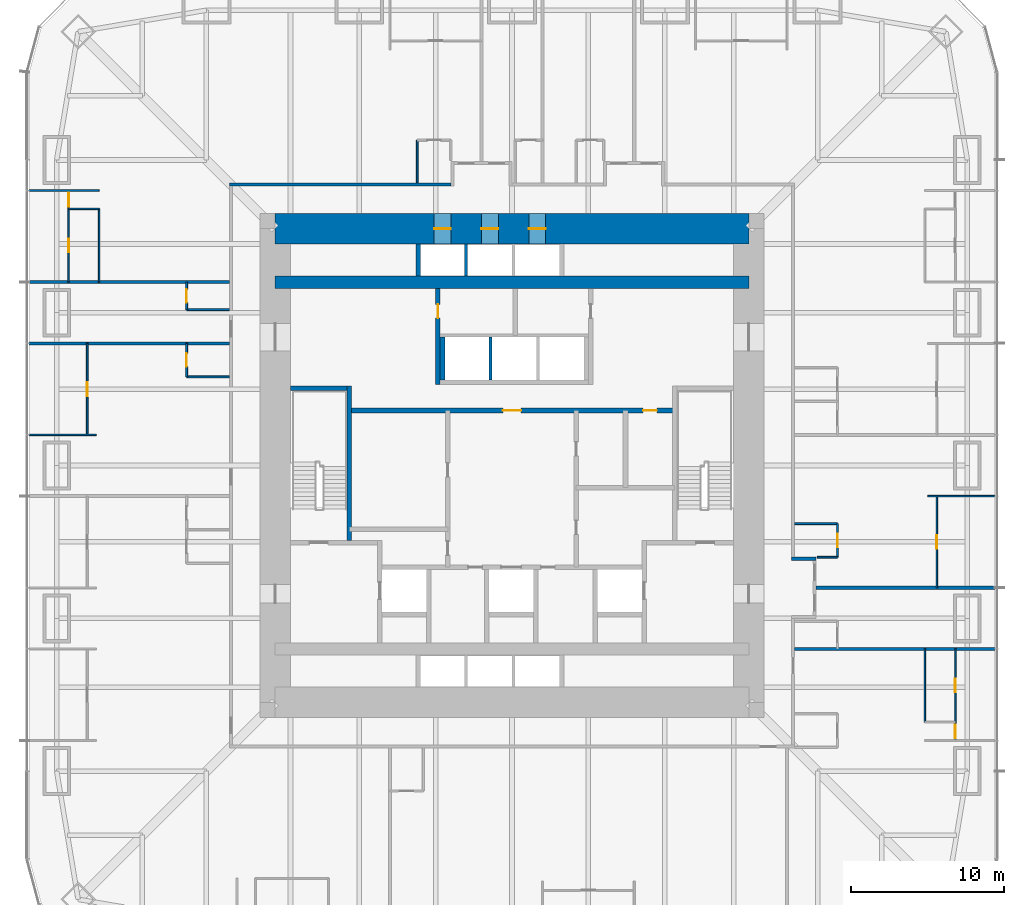
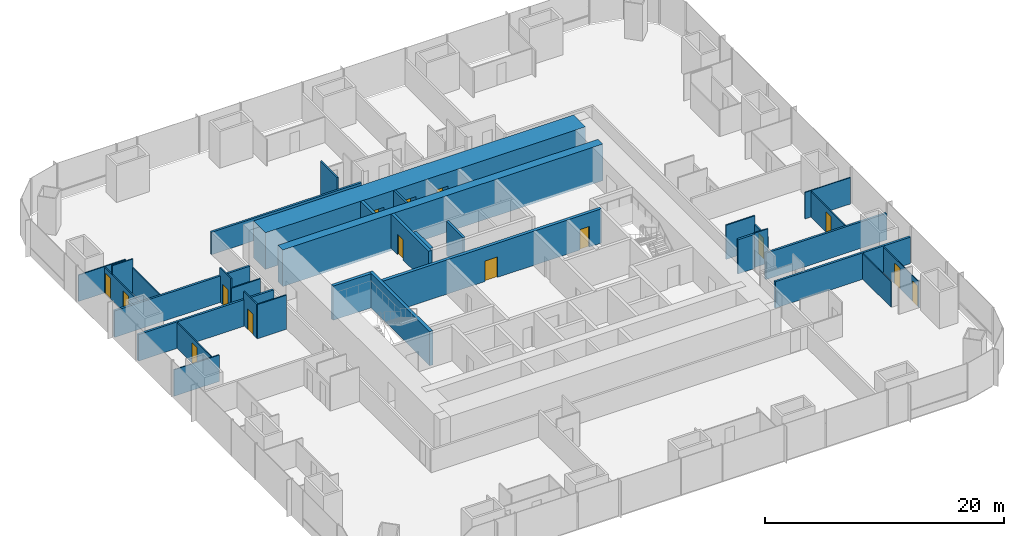
# One storey, part 14 of 17: 34 walls, 15 doors, 15 openings.
"""IFC4 building model written with IfcOpenShell, lengths in metres."""

from ifc_helpers import new_model, si_unit, direction, frame, frame_2d, origin, place, context, subcontext, project, spatial, rectangle, extrude, material, layer, layer_set, type_object, element, fill, save


model = new_model("IFC4")

# Units and contexts
model_context = context("Model", 3, precision=1e-05, world=origin(), true_north=direction((0.0, 1.0)))
body_context = subcontext(model_context, "Body", "Model", "MODEL_VIEW")
ifc_project = project(units=[si_unit("LENGTHUNIT", "METRE"), si_unit("AREAUNIT", "SQUARE_METRE"), si_unit("VOLUMEUNIT", "CUBIC_METRE"), si_unit("PLANEANGLEUNIT", "RADIAN"), si_unit("MASSUNIT", "GRAM", prefix="KILO")], contexts=[model_context])

# Site, building, storey
site_placement = place(None, origin())
site = spatial("IfcSite", under=ifc_project, at=site_placement, CompositionType="ELEMENT")
building_placement = place(site_placement, origin())
building = spatial("IfcBuilding", under=site, at=building_placement, Name="Khuree Lantern Residences", CompositionType="ELEMENT")
storey_placement = place(building_placement, frame((0.0, 0.0, 47.25)))
storey = spatial("IfcBuildingStorey", under=building, at=storey_placement, Name="L11", CompositionType="ELEMENT", Elevation=47.25)

# Wall, opening, door
ifc_material_1 = material(Name="Moisture-resistant gypsum board on steel studs", Category="steel")
ifc_layer_1 = layer(ifc_material_1, 0.125)
ifc_layer_set_1 = layer_set([ifc_layer_1], Name="BATHROOM WALL BTW125")
wall_type_1 = type_object("IfcWallType", Name="BATHROOM WALL BTW125", PredefinedType="PARTITIONING", material=ifc_layer_set_1)
wall_1_placement = place(storey_placement, frame((21.300048828125, -6.0, 0.0), z_axis=(0.0, 0.0, 1.0), x_axis=(0.0, 1.0, 0.0)))
wall_1 = element("IfcWall", 1, at=wall_1_placement, inside=storey, type_object=wall_type_1, Name="L11 BATHROOM WALL 01", PredefinedType="PARTITIONING", context=body_context, shape_type="SweptSolid", body=[
    extrude(rectangle(XDim=2.199951171875, YDim=0.125, at=frame_2d((1.10009765625, 0.0))), origin(), (0.0, 0.0, 1.0), 2.610107421875),
])
opening_1_placement = place(wall_1_placement, frame((0.64990234375, 0.0, 0.0)))
opening_1 = element("IfcOpeningElement", 2, at=opening_1_placement, cuts=wall_1, Name="Opening 11-024", PredefinedType="OPENING", context=body_context, shape_type="SweptSolid", body=[
    extrude(rectangle(XDim=0.89990234375, YDim=2.10009765625, at=frame_2d((0.449951171875, 1.050048828125))), frame((0.0, 0.072509765625, 0.0), z_axis=(0.0, -1.0, 0.0), x_axis=(1.0, 0.0, 0.0)), (0.0, 0.0, 1.0), 0.14501953125),
])
ifc_material_2 = material(Name="Timber door leaf in hardwood frame", Category="wood")
door_type_1 = type_object("IfcDoorType", Name="BATHROOM DOOR 900X2100", OperationType="SINGLE_SWING_LEFT", PredefinedType="DOOR", material=ifc_material_2)
door_1_placement = place(opening_1_placement, origin())
door_1 = element("IfcDoor", 3, at=door_1_placement, inside=storey, type_object=door_type_1, Name="Bathroom door 11-024", OperationType="SINGLE_SWING_LEFT", OverallHeight=2.10009765625, OverallWidth=0.89990234375, PredefinedType="DOOR", context=body_context, shape_type="SweptSolid", body=[
    extrude(rectangle(XDim=0.89990234375, YDim=2.10009765625, at=frame_2d((0.449951171875, 1.050048828125))), frame((0.0, 0.02490234375, 0.0), z_axis=(0.0, -1.0, 0.0), x_axis=(1.0, 0.0, 0.0)), (0.0, 0.0, 1.0), 0.050048828125),
])
fill(opening_1, door_1)

# Walls
wall_2_placement = place(storey_placement, frame((19.969970703125, -6.0, 0.0), z_axis=(0.0, 0.0, 1.0), x_axis=(1.0, 0.0, 0.0)))
element("IfcWall", 4, at=wall_2_placement, inside=storey, type_object=wall_type_1, Name="L11 BATHROOM WALL 01", PredefinedType="PARTITIONING", context=body_context, shape_type="SweptSolid", body=[
    extrude(rectangle(XDim=1.330078125, YDim=0.125, at=frame_2d((0.6650390625, 0.0))), origin(), (0.0, 0.0, 1.0), 3.5),
])
for number, where, z_axis, x_axis, name in (
    (5, (18.5, -3.800048828125, 0.0), (0.0, 0.0, 1.0), (1.0, 0.0, 0.0), "L11 BATHROOM WALL 01"),
    (6, (-6.199951171875, 18.5, 0.0), (0.0, 0.0, 1.0), (0.0, 1.0, 0.0), "L11 BATHROOM WALL 05"),
):
    element("IfcWall", number, at=place(storey_placement, frame(where, z_axis=z_axis, x_axis=x_axis)), inside=storey, type_object=wall_type_1, Name=name, PredefinedType="PARTITIONING", context=body_context, shape_type="SweptSolid", body=[
        extrude(rectangle(XDim=2.800048828125, YDim=0.125, at=frame_2d((1.39990234375, 0.0))), origin(), (0.0, 0.0, 1.0), 3.5),
    ])

# Wall, opening, door
wall_3_placement = place(storey_placement, frame((-21.300048828125, 12.0, 0.0), z_axis=(0.0, 0.0, 1.0), x_axis=(0.0, -1.0, 0.0)))
wall_3 = element("IfcWall", 7, at=wall_3_placement, inside=storey, type_object=wall_type_1, Name="L11 BATHROOM WALL 06", PredefinedType="PARTITIONING", context=body_context, shape_type="SweptSolid", body=[
    extrude(rectangle(XDim=1.800048828125, YDim=0.125, at=frame_2d((0.89990234375, 0.0))), origin(), (0.0, 0.0, 1.0), 3.5),
])
opening_2_placement = place(wall_3_placement, frame((0.449951171875, 0.0, 0.0)))
opening_2 = element("IfcOpeningElement", 8, at=opening_2_placement, cuts=wall_3, Name="Opening 11-042", PredefinedType="OPENING", context=body_context, shape_type="SweptSolid", body=[
    extrude(rectangle(XDim=0.89990234375, YDim=2.10009765625, at=frame_2d((0.449951171875, 1.050048828125))), frame((0.0, 0.072509765625, 0.0), z_axis=(0.0, -1.0, 0.0), x_axis=(1.0, 0.0, 0.0)), (0.0, 0.0, 1.0), 0.14501953125),
])
door_2_placement = place(opening_2_placement, origin())
door_2 = element("IfcDoor", 9, at=door_2_placement, inside=storey, type_object=door_type_1, Name="Bathroom door 11-042", OperationType="SINGLE_SWING_LEFT", OverallHeight=2.10009765625, OverallWidth=0.89990234375, PredefinedType="DOOR", context=body_context, shape_type="SweptSolid", body=[
    extrude(rectangle(XDim=0.89990234375, YDim=2.10009765625, at=frame_2d((0.449951171875, 1.050048828125))), frame((0.0, 0.02490234375, 0.0), z_axis=(0.0, -1.0, 0.0), x_axis=(1.0, 0.0, 0.0)), (0.0, 0.0, 1.0), 0.050048828125),
])
fill(opening_2, door_2)

# Wall
wall_4_placement = place(storey_placement, frame((-18.5, 10.199951171875, 0.0), z_axis=(0.0, 0.0, 1.0), x_axis=(-1.0, 0.0, 0.0)))
element("IfcWall", 10, at=wall_4_placement, inside=storey, type_object=wall_type_1, Name="L11 BATHROOM WALL 06", PredefinedType="PARTITIONING", context=body_context, shape_type="SweptSolid", body=[
    extrude(rectangle(XDim=2.800048828125, YDim=0.125, at=frame_2d((1.39990234375, 0.0))), origin(), (0.0, 0.0, 1.0), 2.491943359375),
])

# Wall, opening, door
wall_5_placement = place(storey_placement, frame((-21.300048828125, 8.0, 0.0), z_axis=(0.0, 0.0, 1.0), x_axis=(0.0, -1.0, 0.0)))
wall_5 = element("IfcWall", 11, at=wall_5_placement, inside=storey, type_object=wall_type_1, Name="L11 BATHROOM WALL 07", PredefinedType="PARTITIONING", context=body_context, shape_type="SweptSolid", body=[
    extrude(rectangle(XDim=2.199951171875, YDim=0.125, at=frame_2d((1.10009765625, 0.0))), origin(), (0.0, 0.0, 1.0), 3.5),
])
opening_3_placement = place(wall_5_placement, frame((0.64990234375, 0.0, 0.0)))
opening_3 = element("IfcOpeningElement", 12, at=opening_3_placement, cuts=wall_5, Name="Opening 11-045", PredefinedType="OPENING", context=body_context, shape_type="SweptSolid", body=[
    extrude(rectangle(XDim=0.89990234375, YDim=2.10009765625, at=frame_2d((0.449951171875, 1.050048828125))), frame((0.0, 0.072509765625, 0.0), z_axis=(0.0, -1.0, 0.0), x_axis=(1.0, 0.0, 0.0)), (0.0, 0.0, 1.0), 0.14501953125),
])
door_3_placement = place(opening_3_placement, origin())
door_3 = element("IfcDoor", 13, at=door_3_placement, inside=storey, type_object=door_type_1, Name="Bathroom door 11-045", OperationType="SINGLE_SWING_LEFT", OverallHeight=2.10009765625, OverallWidth=0.89990234375, PredefinedType="DOOR", context=body_context, shape_type="SweptSolid", body=[
    extrude(rectangle(XDim=0.89990234375, YDim=2.10009765625, at=frame_2d((0.449951171875, 1.050048828125))), frame((0.0, 0.02490234375, 0.0), z_axis=(0.0, -1.0, 0.0), x_axis=(1.0, 0.0, 0.0)), (0.0, 0.0, 1.0), 0.050048828125),
])
fill(opening_3, door_3)

# Walls
wall_6_placement = place(storey_placement, frame((-18.5, 5.800048828125, 0.0), z_axis=(0.0, 0.0, 1.0), x_axis=(-1.0, 0.0, 0.0)))
element("IfcWall", 14, at=wall_6_placement, inside=storey, type_object=wall_type_1, Name="L11 BATHROOM WALL 07", PredefinedType="PARTITIONING", context=body_context, shape_type="SweptSolid", body=[
    extrude(rectangle(XDim=2.800048828125, YDim=0.125, at=frame_2d((1.39990234375, 0.0))), origin(), (0.0, 0.0, 1.0), 3.5),
])
ifc_material_3 = material(Name="Dense concrete blockwork", Category="masonry")
ifc_layer_2 = layer(ifc_material_3, 0.300048828125)
ifc_layer_set_2 = layer_set([ifc_layer_2], Name="CORE PARTITION WALL CPW300 EI 120")
wall_type_2 = type_object("IfcWallType", Name="CORE PARTITION WALL CPW300 EI 120", PredefinedType="PARTITIONING", material=ifc_layer_set_2)
wall_7_placement = place(storey_placement, frame((-4.550048828125, 5.60009765625, 0.0), z_axis=(0.0, 0.0, 1.0), x_axis=(0.0, 1.0, 0.0)))
element("IfcWall", 15, at=wall_7_placement, inside=storey, type_object=wall_type_2, Name="L11 CORE WALL PHW", PredefinedType="PARTITIONING", context=body_context, shape_type="SweptSolid", body=[
    extrude(rectangle(XDim=2.7998046875, YDim=0.300048828125, at=frame_2d((1.39990234375, 0.0))), origin(), (0.0, 0.0, 1.0), 3.5),
])
wall_8_placement = place(storey_placement, frame((-6.14990234375, 12.39990234375, 0.0), z_axis=(0.0, 0.0, 1.0), x_axis=(0.0, 1.0, 0.0)))
element("IfcWall", 16, at=wall_8_placement, inside=storey, type_object=wall_type_2, Name="L11 CORE WALL PLW", PredefinedType="PARTITIONING", context=body_context, shape_type="SweptSolid", body=[
    extrude(rectangle(XDim=2.10009765625, YDim=0.300048828125, at=frame_2d((1.050048828125, 0.0))), origin(), (0.0, 0.0, 1.0), 3.5),
])

# Wall, openings, doors
wall_9_placement = place(storey_placement, frame((-10.64990234375, 3.60009765625, 0.0), z_axis=(0.0, 0.0, 1.0), x_axis=(1.0, 0.0, 0.0)))
wall_9 = element("IfcWall", 17, at=wall_9_placement, inside=storey, type_object=wall_type_2, Name="L11 CORE WALL LLS", PredefinedType="PARTITIONING", context=body_context, shape_type="SweptSolid", body=[
    extrude(rectangle(XDim=21.2998046875, YDim=0.300048828125, at=frame_2d((10.64990234375, 0.0))), origin(), (0.0, 0.0, 1.0), 3.5),
])
opening_4_placement = place(wall_9_placement, frame((10.050048828125, 0.0, 0.0)))
opening_4 = element("IfcOpeningElement", 18, at=opening_4_placement, cuts=wall_9, Name="Opening 11-013", PredefinedType="OPENING", context=body_context, shape_type="SweptSolid", body=[
    extrude(rectangle(XDim=1.199951171875, YDim=2.10009765625, at=frame_2d((0.60009765625, 1.050048828125))), frame((0.0, 0.16015625, 0.0), z_axis=(0.0, -1.0, 0.0), x_axis=(1.0, 0.0, 0.0)), (0.0, 0.0, 1.0), 0.320068359375),
])
opening_5_placement = place(wall_9_placement, frame((19.238037109375, 0.0, 0.0)))
opening_5 = element("IfcOpeningElement", 19, at=opening_5_placement, cuts=wall_9, Name="Opening 11-020", PredefinedType="OPENING", context=body_context, shape_type="SweptSolid", body=[
    extrude(rectangle(XDim=0.89990234375, YDim=2.10009765625, at=frame_2d((0.449951171875, 1.050048828125))), frame((0.0, 0.16015625, 0.0), z_axis=(0.0, -1.0, 0.0), x_axis=(1.0, 0.0, 0.0)), (0.0, 0.0, 1.0), 0.320068359375),
])
ifc_material_4 = material(Name="Steel door leaf in steel frame", Category="steel")
door_type_2 = type_object("IfcDoorType", Name="DOOR 1200X2100 EI 60", OperationType="SINGLE_SWING_LEFT", PredefinedType="DOOR", material=ifc_material_4)
door_4_placement = place(opening_4_placement, origin())
door_4 = element("IfcDoor", 20, at=door_4_placement, inside=storey, type_object=door_type_2, Name="Service lift lobby door 11-013", OperationType="SINGLE_SWING_LEFT", OverallHeight=2.10009765625, OverallWidth=1.199951171875, PredefinedType="DOOR", context=body_context, shape_type="SweptSolid", body=[
    extrude(rectangle(XDim=1.199951171875, YDim=2.10009765625, at=frame_2d((0.60009765625, 1.050048828125))), frame((0.0, 0.02490234375, 0.0), z_axis=(0.0, -1.0, 0.0), x_axis=(1.0, 0.0, 0.0)), (0.0, 0.0, 1.0), 0.050048828125),
])
fill(opening_4, door_4)
door_type_3 = type_object("IfcDoorType", Name="DOOR 900X2100 RIGHT HAND", OperationType="SINGLE_SWING_RIGHT", PredefinedType="DOOR", material=ifc_material_2)
door_5_placement = place(opening_5_placement, origin())
door_5 = element("IfcDoor", 21, at=door_5_placement, inside=storey, type_object=door_type_3, Name="Housekeeping store door 11-020", OperationType="SINGLE_SWING_RIGHT", OverallHeight=2.10009765625, OverallWidth=0.89990234375, PredefinedType="DOOR", context=body_context, shape_type="SweptSolid", body=[
    extrude(rectangle(XDim=0.89990234375, YDim=2.10009765625, at=frame_2d((0.449951171875, 1.050048828125))), frame((0.0, 0.02490234375, 0.0), z_axis=(0.0, -1.0, 0.0), x_axis=(1.0, 0.0, 0.0)), (0.0, 0.0, 1.0), 0.050048828125),
])
fill(opening_5, door_5)

# Wall, opening, door
wall_10_placement = place(storey_placement, frame((-4.85009765625, 5.300048828125, 0.0), z_axis=(0.0, 0.0, 1.0), x_axis=(0.0, 1.0, 0.0)))
wall_10 = element("IfcWall", 22, at=wall_10_placement, inside=storey, type_object=wall_type_2, Name="L11 CORE WALL NW", PredefinedType="PARTITIONING", context=body_context, shape_type="SweptSolid", body=[
    extrude(rectangle(XDim=6.300048828125, YDim=0.300048828125, at=frame_2d((3.14990234375, 0.0))), origin(), (0.0, 0.0, 1.0), 3.5),
])
opening_6_placement = place(wall_10_placement, frame((4.35009765625, 0.0, 0.0)))
opening_6 = element("IfcOpeningElement", 23, at=opening_6_placement, cuts=wall_10, Name="Opening 11-021", PredefinedType="OPENING", context=body_context, shape_type="SweptSolid", body=[
    extrude(rectangle(XDim=0.89990234375, YDim=2.10009765625, at=frame_2d((0.449951171875, 1.050048828125))), frame((0.0, 0.16015625, 0.0), z_axis=(0.0, -1.0, 0.0), x_axis=(1.0, 0.0, 0.0)), (0.0, 0.0, 1.0), 0.320068359375),
])
door_6_placement = place(opening_6_placement, origin())
door_6 = element("IfcDoor", 24, at=door_6_placement, inside=storey, type_object=door_type_3, Name="Building management room door 11-021", OperationType="SINGLE_SWING_RIGHT", OverallHeight=2.10009765625, OverallWidth=0.89990234375, PredefinedType="DOOR", context=body_context, shape_type="SweptSolid", body=[
    extrude(rectangle(XDim=0.89990234375, YDim=2.10009765625, at=frame_2d((0.449951171875, 1.050048828125))), frame((0.0, 0.02490234375, 0.0), z_axis=(0.0, -1.0, 0.0), x_axis=(1.0, 0.0, 0.0)), (0.0, 0.0, 1.0), 0.050048828125),
])
fill(opening_6, door_6)

# Walls
ifc_material_5 = material(Name="Gypsum board on steel studs", Category="steel")
ifc_layer_3 = layer(ifc_material_5, 0.199951171875)
ifc_layer_set_3 = layer_set([ifc_layer_3], Name="CORRIDOR WALL CRW200 EI 60")
wall_type_3 = type_object("IfcWallType", Name="CORRIDOR WALL CRW200 EI 60", PredefinedType="PARTITIONING", material=ifc_layer_set_3)
wall_11_placement = place(storey_placement, frame((18.300048828125, -6.10009765625, 0.0), z_axis=(0.0, 0.0, 1.0), x_axis=(1.0, 0.0, 0.0)))
element("IfcWall", 25, at=wall_11_placement, inside=storey, type_object=wall_type_3, Name="L11 CORRIDOR ALCOVE WALL EAST", PredefinedType="PARTITIONING", context=body_context, shape_type="SweptSolid", body=[
    extrude(rectangle(XDim=1.599853515625, YDim=0.199951171875, at=frame_2d((0.7998046875, 0.0))), origin(), (0.0, 0.0, 1.0), 3.5),
])
wall_12_placement = place(storey_placement, frame((-18.5, 18.39990234375, 0.0), z_axis=(0.0, 0.0, 1.0), x_axis=(1.0, 0.0, 0.0)))
element("IfcWall", 26, at=wall_12_placement, inside=storey, type_object=wall_type_3, Name="L11 CORRIDOR WALL NORTH 1", PredefinedType="PARTITIONING", context=body_context, shape_type="SweptSolid", body=[
    extrude(rectangle(XDim=14.5, YDim=0.199951171875, at=frame_2d((7.25, 0.0))), origin(), (0.0, 0.0, 1.0), 2.300048828125),
])

# Wall, openings, doors
ifc_material_6 = material(Name="Concrete C70/85", Category="concrete")
ifc_layer_4 = layer(ifc_material_6, 2.0)
ifc_layer_set_4 = layer_set([ifc_layer_4], Name="CW2000-C70 CORE WALL C70 2000")
wall_type_4 = type_object("IfcWallType", Name="CW2000-C70 CORE WALL C70 2000", PredefinedType="SHEAR", material=ifc_layer_set_4)
wall_13_placement = place(storey_placement, frame((-15.5, 15.5, -0.25), z_axis=(0.0, 0.0, 1.0), x_axis=(1.0, 0.0, 0.0)))
wall_13 = element("IfcWall", 27, at=wall_13_placement, inside=storey, type_object=wall_type_4, Name="Core wall N", PredefinedType="SHEAR", context=body_context, shape_type="SweptSolid", body=[
    extrude(rectangle(XDim=31.0, YDim=2.0, at=frame_2d((15.5, 0.0))), origin(), (0.0, 0.0, 1.0), 3.75),
])
opening_7_placement = place(wall_13_placement, frame((10.39990234375, 0.0, 0.25)))
opening_7 = element("IfcOpeningElement", 28, at=opening_7_placement, cuts=wall_13, Name="Opening 11-009", PredefinedType="OPENING", context=body_context, shape_type="SweptSolid", body=[
    extrude(rectangle(XDim=1.10009765625, YDim=2.10009765625, at=frame_2d((0.550048828125, 1.050048828125))), frame((0.0, 1.010009765625, 0.0), z_axis=(0.0, -1.0, 0.0), x_axis=(1.0, 0.0, 0.0)), (0.0, 0.0, 1.0), 2.02001953125),
])
opening_8_placement = place(wall_13_placement, frame((13.5, 0.0, 0.25)))
opening_8 = element("IfcOpeningElement", 29, at=opening_8_placement, cuts=wall_13, Name="Opening 11-010", PredefinedType="OPENING", context=body_context, shape_type="SweptSolid", body=[
    extrude(rectangle(XDim=1.10009765625, YDim=2.10009765625, at=frame_2d((0.550048828125, 1.050048828125))), frame((0.0, 1.010009765625, 0.0), z_axis=(0.0, -1.0, 0.0), x_axis=(1.0, 0.0, 0.0)), (0.0, 0.0, 1.0), 2.02001953125),
])
opening_9_placement = place(wall_13_placement, frame((16.60009765625, 0.0, 0.25)))
opening_9 = element("IfcOpeningElement", 30, at=opening_9_placement, cuts=wall_13, Name="Opening 11-011", PredefinedType="OPENING", context=body_context, shape_type="SweptSolid", body=[
    extrude(rectangle(XDim=1.10009765625, YDim=2.10009765625, at=frame_2d((0.550048828125, 1.050048828125))), frame((0.0, 1.010009765625, 0.0), z_axis=(0.0, -1.0, 0.0), x_axis=(1.0, 0.0, 0.0)), (0.0, 0.0, 1.0), 2.02001953125),
])
ifc_material_7 = material(Name="Stainless steel lift landing door", Category="steel")
door_type_4 = type_object("IfcDoorType", Name="LIFT LANDING DOOR 1100X2100 E 60", OperationType="DOUBLE_DOOR_SLIDING", PredefinedType="DOOR", material=ifc_material_7)
door_7_placement = place(opening_7_placement, origin())
door_7 = element("IfcDoor", 31, at=door_7_placement, inside=storey, type_object=door_type_4, Name="Landing door PL1 11-009", OperationType="DOUBLE_DOOR_SLIDING", OverallHeight=2.10009765625, OverallWidth=1.10009765625, PredefinedType="DOOR", context=body_context, shape_type="SweptSolid", body=[
    extrude(rectangle(XDim=1.10009765625, YDim=2.10009765625, at=frame_2d((0.550048828125, 1.050048828125))), frame((0.0, 0.02490234375, 0.0), z_axis=(0.0, -1.0, 0.0), x_axis=(1.0, 0.0, 0.0)), (0.0, 0.0, 1.0), 0.050048828125),
])
fill(opening_7, door_7)
door_8_placement = place(opening_8_placement, origin())
door_8 = element("IfcDoor", 32, at=door_8_placement, inside=storey, type_object=door_type_4, Name="Landing door PL2 11-010", OperationType="DOUBLE_DOOR_SLIDING", OverallHeight=2.10009765625, OverallWidth=1.10009765625, PredefinedType="DOOR", context=body_context, shape_type="SweptSolid", body=[
    extrude(rectangle(XDim=1.10009765625, YDim=2.10009765625, at=frame_2d((0.550048828125, 1.050048828125))), frame((0.0, 0.02490234375, 0.0), z_axis=(0.0, -1.0, 0.0), x_axis=(1.0, 0.0, 0.0)), (0.0, 0.0, 1.0), 0.050048828125),
])
fill(opening_8, door_8)
door_9_placement = place(opening_9_placement, origin())
door_9 = element("IfcDoor", 33, at=door_9_placement, inside=storey, type_object=door_type_4, Name="Landing door PL3 11-011", OperationType="DOUBLE_DOOR_SLIDING", OverallHeight=2.10009765625, OverallWidth=1.10009765625, PredefinedType="DOOR", context=body_context, shape_type="SweptSolid", body=[
    extrude(rectangle(XDim=1.10009765625, YDim=2.10009765625, at=frame_2d((0.550048828125, 1.050048828125))), frame((0.0, 0.02490234375, 0.0), z_axis=(0.0, -1.0, 0.0), x_axis=(1.0, 0.0, 0.0)), (0.0, 0.0, 1.0), 0.050048828125),
])
fill(opening_9, door_9)

# Walls
ifc_layer_5 = layer(ifc_material_5, 0.199951171875)
ifc_layer_set_5 = layer_set([ifc_layer_5], Name="DEMISING WALL DMW200 EI 90")
wall_type_5 = type_object("IfcWallType", Name="DEMISING WALL DMW200 EI 90", PredefinedType="PARTITIONING", material=ifc_layer_set_5)
wall_14_placement = place(storey_placement, frame((19.89990234375, -8.0, 0.0), z_axis=(0.0, 0.0, 1.0), x_axis=(1.0, 0.0, 0.0)))
element("IfcWall", 34, at=wall_14_placement, inside=storey, type_object=wall_type_5, Name="L11 DEMISING WALL 01", PredefinedType="PARTITIONING", context=body_context, shape_type="SweptSolid", body=[
    extrude(rectangle(XDim=11.7001953125, YDim=0.199951171875, at=frame_2d((5.85009765625, 0.0))), origin(), (0.0, 0.0, 1.0), 2.7099609375),
])
for number, where, z_axis, x_axis, name in (
    (35, (-18.5, 12.0, 0.0), (0.0, 0.0, 1.0), (-1.0, 0.0, 0.0), "L11 DEMISING WALL 06"),
    (36, (-18.5, 8.0, 0.0), (0.0, 0.0, 1.0), (-1.0, 0.0, 0.0), "L11 DEMISING WALL 07"),
    (37, (18.5, -12.0, 0.0), (0.0, 0.0, 1.0), (1.0, 0.0, 0.0), "L11 DEMISING WALL 11"),
):
    element("IfcWall", number, at=place(storey_placement, frame(where, z_axis=z_axis, x_axis=x_axis)), inside=storey, type_object=wall_type_5, Name=name, PredefinedType="PARTITIONING", context=body_context, shape_type="SweptSolid", body=[
        extrude(rectangle(XDim=13.10009765625, YDim=0.199951171875, at=frame_2d((6.550048828125, 0.0))), origin(), (0.0, 0.0, 1.0), 2.7099609375),
    ])
ifc_layer_6 = layer(ifc_material_5, 0.10009765625)
ifc_layer_set_6 = layer_set([ifc_layer_6], Name="PARTITION PT100")
wall_type_6 = type_object("IfcWallType", Name="PARTITION PT100", PredefinedType="PARTITIONING", material=ifc_layer_set_6)
wall_15_placement = place(storey_placement, frame((27.199951171875, -2.0, 0.0), z_axis=(0.0, 0.0, 1.0), x_axis=(1.0, 0.0, 0.0)))
element("IfcWall", 38, at=wall_15_placement, inside=storey, type_object=wall_type_6, Name="L11 PARTITION 01", PredefinedType="PARTITIONING", context=body_context, shape_type="SweptSolid", body=[
    extrude(rectangle(XDim=4.400146484375, YDim=0.10009765625, at=frame_2d((2.2001953125, 0.0))), origin(), (0.0, 0.0, 1.0), 2.7099609375),
])
wall_16_placement = place(storey_placement, frame((-27.0166015625, 18.0, 0.0), z_axis=(0.0, 0.0, 1.0), x_axis=(-1.0, 0.0, 0.0)))
element("IfcWall", 39, at=wall_16_placement, inside=storey, type_object=wall_type_6, Name="L11 PARTITION 05", PredefinedType="PARTITIONING", context=body_context, shape_type="SweptSolid", body=[
    extrude(rectangle(XDim=4.58349609375, YDim=0.10009765625, at=frame_2d((2.291748046875, 0.0))), origin(), (0.0, 0.0, 1.0), 2.7099609375),
])
wall_17_placement = place(storey_placement, frame((-27.199951171875, 2.0, 0.0), z_axis=(0.0, 0.0, 1.0), x_axis=(-1.0, 0.0, 0.0)))
element("IfcWall", 40, at=wall_17_placement, inside=storey, type_object=wall_type_6, Name="L11 PARTITION 07", PredefinedType="PARTITIONING", context=body_context, shape_type="SweptSolid", body=[
    extrude(rectangle(XDim=4.400146484375, YDim=0.10009765625, at=frame_2d((2.2001953125, 0.0))), origin(), (0.0, 0.0, 1.0), 2.7099609375),
])

# Wall, opening, door
wall_18_placement = place(storey_placement, frame((27.800048828125, -8.0, 0.0), z_axis=(0.0, 0.0, 1.0), x_axis=(0.0, 1.0, 0.0)))
wall_18 = element("IfcWall", 41, at=wall_18_placement, inside=storey, type_object=wall_type_6, Name="L11 PARTITION 01", PredefinedType="PARTITIONING", context=body_context, shape_type="SweptSolid", body=[
    extrude(rectangle(XDim=6.0, YDim=0.10009765625, at=frame_2d((3.0, 0.0))), origin(), (0.0, 0.0, 1.0), 2.610107421875),
])
opening_10_placement = place(wall_18_placement, frame((2.550048828125, 0.0, 0.0)))
opening_10 = element("IfcOpeningElement", 42, at=opening_10_placement, cuts=wall_18, Name="Opening 11-023", PredefinedType="OPENING", context=body_context, shape_type="SweptSolid", body=[
    extrude(rectangle(XDim=0.89990234375, YDim=2.10009765625, at=frame_2d((0.449951171875, 1.050048828125))), frame((0.0, 0.06005859375, 0.0), z_axis=(0.0, -1.0, 0.0), x_axis=(1.0, 0.0, 0.0)), (0.0, 0.0, 1.0), 0.1201171875),
])
door_type_5 = type_object("IfcDoorType", Name="BEDROOM DOOR 900X2100", OperationType="SINGLE_SWING_LEFT", PredefinedType="DOOR", material=ifc_material_2)
door_10_placement = place(opening_10_placement, origin())
door_10 = element("IfcDoor", 43, at=door_10_placement, inside=storey, type_object=door_type_5, Name="Bedroom door 11-023", OperationType="SINGLE_SWING_LEFT", OverallHeight=2.10009765625, OverallWidth=0.89990234375, PredefinedType="DOOR", context=body_context, shape_type="SweptSolid", body=[
    extrude(rectangle(XDim=0.89990234375, YDim=2.10009765625, at=frame_2d((0.449951171875, 1.050048828125))), frame((0.0, 0.02490234375, 0.0), z_axis=(0.0, -1.0, 0.0), x_axis=(1.0, 0.0, 0.0)), (0.0, 0.0, 1.0), 0.050048828125),
])
fill(opening_10, door_10)

# Wall, openings, doors
wall_19_placement = place(storey_placement, frame((-29.0166015625, 18.0, 0.0), z_axis=(0.0, 0.0, 1.0), x_axis=(0.0, -1.0, 0.0)))
wall_19 = element("IfcWall", 44, at=wall_19_placement, inside=storey, type_object=wall_type_6, Name="L11 PARTITION 05", PredefinedType="PARTITIONING", context=body_context, shape_type="SweptSolid", body=[
    extrude(rectangle(XDim=6.0, YDim=0.10009765625, at=frame_2d((3.0, 0.0))), origin(), (0.0, 0.0, 1.0), 2.610107421875),
])
opening_11_placement = place(wall_19_placement, frame((0.14990234375, 0.0, 0.0)))
opening_11 = element("IfcOpeningElement", 45, at=opening_11_placement, cuts=wall_19, Name="Opening 11-038", PredefinedType="OPENING", context=body_context, shape_type="SweptSolid", body=[
    extrude(rectangle(XDim=0.89990234375, YDim=2.10009765625, at=frame_2d((0.449951171875, 1.050048828125))), frame((0.0, 0.06005859375, 0.0), z_axis=(0.0, -1.0, 0.0), x_axis=(1.0, 0.0, 0.0)), (0.0, 0.0, 1.0), 0.1201171875),
])
opening_12_placement = place(wall_19_placement, frame((3.14990234375, 0.0, 0.0)))
opening_12 = element("IfcOpeningElement", 46, at=opening_12_placement, cuts=wall_19, Name="Opening 11-039", PredefinedType="OPENING", context=body_context, shape_type="SweptSolid", body=[
    extrude(rectangle(XDim=0.89990234375, YDim=2.10009765625, at=frame_2d((0.449951171875, 1.050048828125))), frame((0.0, 0.06005859375, 0.0), z_axis=(0.0, -1.0, 0.0), x_axis=(1.0, 0.0, 0.0)), (0.0, 0.0, 1.0), 0.1201171875),
])
door_11_placement = place(opening_11_placement, origin())
door_11 = element("IfcDoor", 47, at=door_11_placement, inside=storey, type_object=door_type_5, Name="Bedroom door 11-038", OperationType="SINGLE_SWING_LEFT", OverallHeight=2.10009765625, OverallWidth=0.89990234375, PredefinedType="DOOR", context=body_context, shape_type="SweptSolid", body=[
    extrude(rectangle(XDim=0.89990234375, YDim=2.10009765625, at=frame_2d((0.449951171875, 1.050048828125))), frame((0.0, 0.02490234375, 0.0), z_axis=(0.0, -1.0, 0.0), x_axis=(1.0, 0.0, 0.0)), (0.0, 0.0, 1.0), 0.050048828125),
])
fill(opening_11, door_11)
door_type_6 = type_object("IfcDoorType", Name="DOOR 900X2100", OperationType="SINGLE_SWING_LEFT", PredefinedType="DOOR", material=ifc_material_2)
door_12_placement = place(opening_12_placement, origin())
door_12 = element("IfcDoor", 48, at=door_12_placement, inside=storey, type_object=door_type_6, Name="Wardrobe door 11-039", OperationType="SINGLE_SWING_LEFT", OverallHeight=2.10009765625, OverallWidth=0.89990234375, PredefinedType="DOOR", context=body_context, shape_type="SweptSolid", body=[
    extrude(rectangle(XDim=0.89990234375, YDim=2.10009765625, at=frame_2d((0.449951171875, 1.050048828125))), frame((0.0, 0.02490234375, 0.0), z_axis=(0.0, -1.0, 0.0), x_axis=(1.0, 0.0, 0.0)), (0.0, 0.0, 1.0), 0.050048828125),
])
fill(opening_12, door_12)

# Walls
wall_20_placement = place(storey_placement, frame((-27.0166015625, 16.800048828125, 0.0), z_axis=(0.0, 0.0, 1.0), x_axis=(-1.0, 0.0, 0.0)))
element("IfcWall", 49, at=wall_20_placement, inside=storey, type_object=wall_type_6, Name="L11 PARTITION 05", PredefinedType="PARTITIONING", context=body_context, shape_type="SweptSolid", body=[
    extrude(rectangle(XDim=2.0, YDim=0.10009765625, at=frame_2d((1.0, 0.0))), origin(), (0.0, 0.0, 1.0), 3.5),
])
wall_21_placement = place(storey_placement, frame((-27.0166015625, 16.800048828125, 0.0), z_axis=(0.0, 0.0, 1.0), x_axis=(0.0, -1.0, 0.0)))
element("IfcWall", 50, at=wall_21_placement, inside=storey, type_object=wall_type_6, Name="L11 PARTITION 05", PredefinedType="PARTITIONING", context=body_context, shape_type="SweptSolid", body=[
    extrude(rectangle(XDim=4.800048828125, YDim=0.10009765625, at=frame_2d((2.39990234375, 0.0))), origin(), (0.0, 0.0, 1.0), 2.610107421875),
])

# Wall, opening, door
wall_22_placement = place(storey_placement, frame((-27.800048828125, 8.0, 0.0), z_axis=(0.0, 0.0, 1.0), x_axis=(0.0, -1.0, 0.0)))
wall_22 = element("IfcWall", 51, at=wall_22_placement, inside=storey, type_object=wall_type_6, Name="L11 PARTITION 07", PredefinedType="PARTITIONING", context=body_context, shape_type="SweptSolid", body=[
    extrude(rectangle(XDim=6.0, YDim=0.10009765625, at=frame_2d((3.0, 0.0))), origin(), (0.0, 0.0, 1.0), 2.610107421875),
])
opening_13_placement = place(wall_22_placement, frame((2.550048828125, 0.0, 0.0)))
opening_13 = element("IfcOpeningElement", 52, at=opening_13_placement, cuts=wall_22, Name="Opening 11-044", PredefinedType="OPENING", context=body_context, shape_type="SweptSolid", body=[
    extrude(rectangle(XDim=0.89990234375, YDim=2.10009765625, at=frame_2d((0.449951171875, 1.050048828125))), frame((0.0, 0.06005859375, 0.0), z_axis=(0.0, -1.0, 0.0), x_axis=(1.0, 0.0, 0.0)), (0.0, 0.0, 1.0), 0.1201171875),
])
door_13_placement = place(opening_13_placement, origin())
door_13 = element("IfcDoor", 53, at=door_13_placement, inside=storey, type_object=door_type_5, Name="Bedroom door 11-044", OperationType="SINGLE_SWING_LEFT", OverallHeight=2.10009765625, OverallWidth=0.89990234375, PredefinedType="DOOR", context=body_context, shape_type="SweptSolid", body=[
    extrude(rectangle(XDim=0.89990234375, YDim=2.10009765625, at=frame_2d((0.449951171875, 1.050048828125))), frame((0.0, 0.02490234375, 0.0), z_axis=(0.0, -1.0, 0.0), x_axis=(1.0, 0.0, 0.0)), (0.0, 0.0, 1.0), 0.050048828125),
])
fill(opening_13, door_13)

# Wall, openings, doors
wall_23_placement = place(storey_placement, frame((29.0166015625, -18.0, 0.0), z_axis=(0.0, 0.0, 1.0), x_axis=(0.0, 1.0, 0.0)))
wall_23 = element("IfcWall", 54, at=wall_23_placement, inside=storey, type_object=wall_type_6, Name="L11 PARTITION 10", PredefinedType="PARTITIONING", context=body_context, shape_type="SweptSolid", body=[
    extrude(rectangle(XDim=6.0, YDim=0.10009765625, at=frame_2d((3.0, 0.0))), origin(), (0.0, 0.0, 1.0), 2.610107421875),
])
opening_14_placement = place(wall_23_placement, frame((0.14990234375, 0.0, 0.0)))
opening_14 = element("IfcOpeningElement", 55, at=opening_14_placement, cuts=wall_23, Name="Opening 11-057", PredefinedType="OPENING", context=body_context, shape_type="SweptSolid", body=[
    extrude(rectangle(XDim=0.89990234375, YDim=2.10009765625, at=frame_2d((0.449951171875, 1.050048828125))), frame((0.0, 0.06005859375, 0.0), z_axis=(0.0, -1.0, 0.0), x_axis=(1.0, 0.0, 0.0)), (0.0, 0.0, 1.0), 0.1201171875),
])
opening_15_placement = place(wall_23_placement, frame((3.14990234375, 0.0, 0.0)))
opening_15 = element("IfcOpeningElement", 56, at=opening_15_placement, cuts=wall_23, Name="Opening 11-058", PredefinedType="OPENING", context=body_context, shape_type="SweptSolid", body=[
    extrude(rectangle(XDim=0.89990234375, YDim=2.10009765625, at=frame_2d((0.449951171875, 1.050048828125))), frame((0.0, 0.06005859375, 0.0), z_axis=(0.0, -1.0, 0.0), x_axis=(1.0, 0.0, 0.0)), (0.0, 0.0, 1.0), 0.1201171875),
])
door_14_placement = place(opening_14_placement, origin())
door_14 = element("IfcDoor", 57, at=door_14_placement, inside=storey, type_object=door_type_5, Name="Bedroom door 11-057", OperationType="SINGLE_SWING_LEFT", OverallHeight=2.10009765625, OverallWidth=0.89990234375, PredefinedType="DOOR", context=body_context, shape_type="SweptSolid", body=[
    extrude(rectangle(XDim=0.89990234375, YDim=2.10009765625, at=frame_2d((0.449951171875, 1.050048828125))), frame((0.0, 0.02490234375, 0.0), z_axis=(0.0, -1.0, 0.0), x_axis=(1.0, 0.0, 0.0)), (0.0, 0.0, 1.0), 0.050048828125),
])
fill(opening_14, door_14)
door_15_placement = place(opening_15_placement, origin())
door_15 = element("IfcDoor", 58, at=door_15_placement, inside=storey, type_object=door_type_6, Name="Wardrobe door 11-058", OperationType="SINGLE_SWING_LEFT", OverallHeight=2.10009765625, OverallWidth=0.89990234375, PredefinedType="DOOR", context=body_context, shape_type="SweptSolid", body=[
    extrude(rectangle(XDim=0.89990234375, YDim=2.10009765625, at=frame_2d((0.449951171875, 1.050048828125))), frame((0.0, 0.02490234375, 0.0), z_axis=(0.0, -1.0, 0.0), x_axis=(1.0, 0.0, 0.0)), (0.0, 0.0, 1.0), 0.050048828125),
])
fill(opening_15, door_15)

# Walls
wall_24_placement = place(storey_placement, frame((27.0166015625, -16.800048828125, 0.0), z_axis=(0.0, 0.0, 1.0), x_axis=(0.0, 1.0, 0.0)))
element("IfcWall", 59, at=wall_24_placement, inside=storey, type_object=wall_type_6, Name="L11 PARTITION 10", PredefinedType="PARTITIONING", context=body_context, shape_type="SweptSolid", body=[
    extrude(rectangle(XDim=4.800048828125, YDim=0.10009765625, at=frame_2d((2.39990234375, 0.0))), origin(), (0.0, 0.0, 1.0), 2.610107421875),
])
ifc_layer_7 = layer(ifc_material_3, 0.199951171875)
ifc_layer_set_7 = layer_set([ifc_layer_7], Name="SHAFT WALL SHW200 EI 120")
wall_type_7 = type_object("IfcWallType", Name="SHAFT WALL SHW200 EI 120", PredefinedType="PARTITIONING", material=ifc_layer_set_7)
wall_25_placement = place(storey_placement, frame((-1.39990234375, 5.60009765625, 0.0), z_axis=(0.0, 0.0, 1.0), x_axis=(0.0, 1.0, 0.0)))
element("IfcWall", 60, at=wall_25_placement, inside=storey, type_object=wall_type_7, Name="L11 CORE WALL PHD1", PredefinedType="PARTITIONING", context=body_context, shape_type="SweptSolid", body=[
    extrude(rectangle(XDim=2.7998046875, YDim=0.199951171875, at=frame_2d((1.39990234375, 0.0))), origin(), (0.0, 0.0, 1.0), 3.5),
])
wall_26_placement = place(storey_placement, frame((-3.0, 12.39990234375, 0.0), z_axis=(0.0, 0.0, 1.0), x_axis=(0.0, 1.0, 0.0)))
element("IfcWall", 61, at=wall_26_placement, inside=storey, type_object=wall_type_7, Name="L11 CORE WALL PLD1", PredefinedType="PARTITIONING", context=body_context, shape_type="SweptSolid", body=[
    extrude(rectangle(XDim=2.10009765625, YDim=0.199951171875, at=frame_2d((1.050048828125, 0.0))), origin(), (0.0, 0.0, 1.0), 3.5),
])
ifc_layer_8 = layer(ifc_material_6, 0.800048828125)
ifc_layer_set_8 = layer_set([ifc_layer_8], Name="SP800-C70 CORE SPINE WALL C70 800")
wall_type_8 = type_object("IfcWallType", Name="SP800-C70 CORE SPINE WALL C70 800", PredefinedType="SHEAR", material=ifc_layer_set_8)
wall_27_placement = place(storey_placement, frame((-15.5, 12.0, -0.25), z_axis=(0.0, 0.0, 1.0), x_axis=(1.0, 0.0, 0.0)))
element("IfcWall", 62, at=wall_27_placement, inside=storey, type_object=wall_type_8, Name="Core wall SPN", PredefinedType="SHEAR", context=body_context, shape_type="SweptSolid", body=[
    extrude(rectangle(XDim=31.0, YDim=0.800048828125, at=frame_2d((15.5, 0.0))), origin(), (0.0, 0.0, 1.0), 3.75),
])
ifc_material_8 = material(Name="Concrete C50/60", Category="concrete")
ifc_layer_9 = layer(ifc_material_8, 0.300048828125)
ifc_layer_set_9 = layer_set([ifc_layer_9], Name="STAIR WALL SRW300 C50/60 REI 240")
wall_type_9 = type_object("IfcWallType", Name="STAIR WALL SRW300 C50/60 REI 240", PredefinedType="SOLIDWALL", material=ifc_layer_set_9)
wall_28_placement = place(storey_placement, frame((-10.64990234375, -4.89990234375, 0.0), z_axis=(0.0, 0.0, 1.0), x_axis=(0.0, 1.0, 0.0)))
element("IfcWall", 63, at=wall_28_placement, inside=storey, type_object=wall_type_9, Name="L11 STAIR WALL ST1E", PredefinedType="SOLIDWALL", context=body_context, shape_type="SweptSolid", body=[
    extrude(rectangle(XDim=10.099853515625, YDim=0.300048828125, at=frame_2d((5.0498046875, 0.0))), origin(), (0.0, 0.0, 1.0), 3.5),
])
wall_29_placement = place(storey_placement, frame((-14.5, 5.050048828125, 0.0), z_axis=(0.0, 0.0, 1.0), x_axis=(1.0, 0.0, 0.0)))
element("IfcWall", 64, at=wall_29_placement, inside=storey, type_object=wall_type_9, Name="L11 STAIR WALL ST1N", PredefinedType="SOLIDWALL", context=body_context, shape_type="SweptSolid", body=[
    extrude(rectangle(XDim=3.699951171875, YDim=0.300048828125, at=frame_2d((1.85009765625, 0.0))), origin(), (0.0, 0.0, 1.0), 3.5),
])

save(model, "model.ifc")
